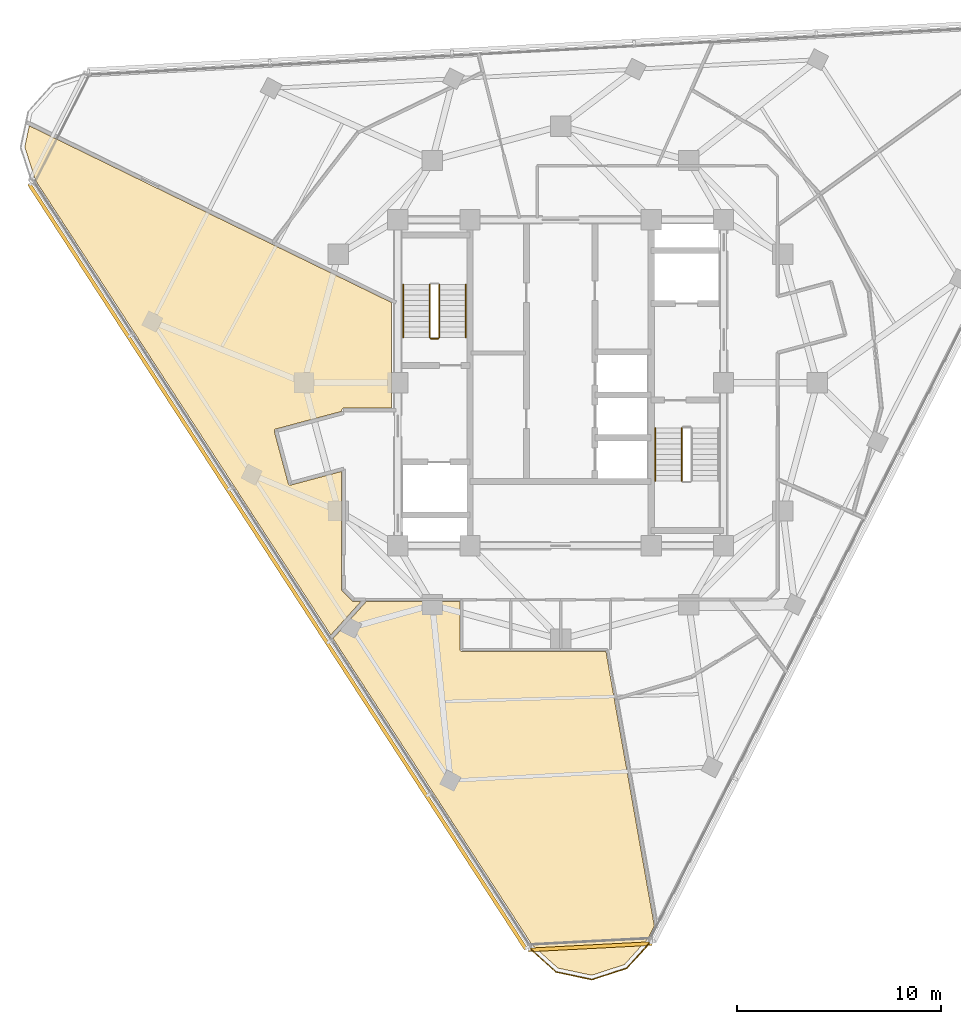
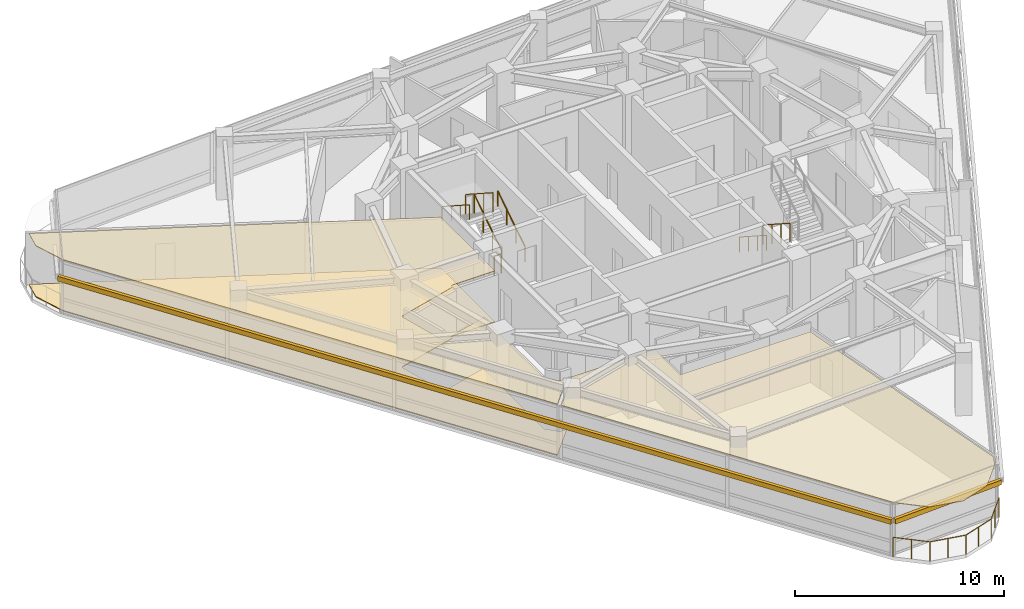
# One storey, part 12 of 15: 8 railings, 3 coverings, 2 shading devices.
"""IFC4 building model written with IfcOpenShell, lengths in metres."""

from ifc_helpers import new_model, si_unit, direction, frame, origin, origin_2d, place, context, subcontext, project, spatial, polyline, rectangle, circle, outline, extrude, material, layer, layer_set, type_object, element, save


model = new_model("IFC4")

# Units and contexts
model_context = context("Model", 3, precision=1e-05, world=origin(), true_north=direction((0.0, 1.0)))
body_context = subcontext(model_context, "Body", "Model", "MODEL_VIEW")
ifc_project = project(units=[si_unit("LENGTHUNIT", "METRE"), si_unit("AREAUNIT", "SQUARE_METRE"), si_unit("VOLUMEUNIT", "CUBIC_METRE"), si_unit("PLANEANGLEUNIT", "RADIAN"), si_unit("MASSUNIT", "GRAM", prefix="KILO")], contexts=[model_context])

# Site, building, storey
site_placement = place(None, origin())
site = spatial("IfcSite", under=ifc_project, at=site_placement, CompositionType="ELEMENT")
building_placement = place(site_placement, origin())
building = spatial("IfcBuilding", under=site, at=building_placement, Name="Terralouvre Media Tower", CompositionType="ELEMENT")
storey_placement = place(building_placement, frame((0.0, 0.0, 248.5)))
storey = spatial("IfcBuildingStorey", under=building, at=storey_placement, Name="L64", CompositionType="ELEMENT", Elevation=248.5)

# Coverings
ifc_material_1 = material(Name="Resilient elastomer acoustic broadcast studio flooring")
ifc_layer_1 = layer(ifc_material_1, 0.050048828125, Name="Broadcast Studio Acoustic Floating Floor FL-AC1")
ifc_layer_set_1 = layer_set([ifc_layer_1], Name="Resilient elastomer acoustic broadcast studio flooring")
covering_type_1 = type_object("IfcCoveringType", Name="Broadcast Studio Acoustic Floating Floor FL-AC1", PredefinedType="FLOORING", material=ifc_layer_set_1)
covering_1_placement = place(storey_placement, frame((0.0, 0.0, 0.0), z_axis=(0.0, 0.0, 1.0), x_axis=(0.45399049974, 0.891006524188, 0.0)))
element("IfcCovering", 1, at=covering_1_placement, inside=storey, type_object=covering_type_1, Name="L64 Audio Digitisation Control Room 1 Acoustic Floating Floor", PredefinedType="FLOORING", context=body_context, shape_type="SweptSolid", body=[
    extrude(outline(polyline([(-14.03369140625, 3.863525390625), (-14.186279296875, 4.163330078125), (-14.1904296875, 4.17236328125), (-14.193603515625, 4.181640625), (-14.195556640625, 4.191162109375), (-14.197021484375, 4.200927734375), (-14.197265625, 4.210693359375), (-14.196533203125, 4.220458984375), (-14.19482421875, 4.230224609375), (-14.1923828125, 4.239501953125), (-13.973876953125, 4.912109375), (-13.97021484375, 4.92138671875), (-13.966064453125, 4.929931640625), (-13.960693359375, 4.9384765625), (-13.954833984375, 4.946044921875), (-13.947998046875, 4.953369140625), (-13.940673828125, 4.959716796875), (-13.9326171875, 4.96533203125), (-13.924072265625, 4.97021484375), (-8.760986328125, 7.60107421875), (-10.49365234375, 9.525146484375), (-10.5, 9.532958984375), (-10.50537109375, 9.541015625), (-10.510009765625, 9.5498046875), (-10.513671875, 9.558837890625), (-10.5166015625, 9.568115234375), (-10.518310546875, 9.577880859375), (-10.519287109375, 9.587646484375), (-10.519287109375, 9.597412109375), (-10.518310546875, 9.607177734375), (-10.516357421875, 9.61669921875), (-10.513427734375, 9.626220703125), (-10.509765625, 9.63525390625), (-10.5048828125, 9.643798828125), (-10.49951171875, 9.652099609375), (-10.4931640625, 9.65966796875), (-10.486328125, 9.66650390625), (-8.516357421875, 11.439208984375), (-8.5087890625, 11.4453125), (-8.50048828125, 11.45068359375), (-8.491943359375, 11.455322265625), (-8.482666015625, 11.458984375), (-8.473388671875, 11.4619140625), (-8.463623046875, 11.463623046875), (-8.453857421875, 11.464599609375), (-8.444091796875, 11.464599609375), (-8.434326171875, 11.463623046875), (-8.4248046875, 11.461669921875), (-8.415283203125, 11.458740234375), (-8.406494140625, 11.455078125), (-8.397705078125, 11.450439453125), (-8.3896484375, 11.44482421875), (-8.382080078125, 11.4384765625), (-8.375, 11.431640625), (-6.132568359375, 8.9404296875), (-6.083251953125, 8.96533203125), (-6.07421875, 8.969482421875), (-6.06494140625, 8.97265625), (-6.055419921875, 8.974853515625), (-6.045654296875, 8.97607421875), (-6.035888671875, 8.976318359375), (-6.026123046875, 8.9755859375), (-6.016357421875, 8.973876953125), (-6.007080078125, 8.971435546875), (-5.997802734375, 8.968017578125), (-5.989013671875, 8.963623046875), (-5.980712890625, 8.958251953125), (-5.972900390625, 8.952392578125), (-5.9658203125, 8.945556640625), (-5.959228515625, 8.938232421875), (-5.95361328125, 8.93017578125), (-5.94873046875, 8.921630859375), (-4.886474609375, 6.836669921875), (-0.2607421875, 9.193603515625), (-0.37451171875, 15.70458984375), (-0.60546875, 28.97509765625), (-1.635986328125, 28.698974609375), (-2.85546875, 27.479736328125), (-16.160400390625, 4.43359375), (-14.03369140625, 3.863525390625)])), origin(), (0.0, 0.0, 1.0), 0.050048828125),
])
ifc_material_2 = material(Name="Perforated aluminium acoustic ceiling baffle", Category="aluminium")
ifc_layer_2 = layer(ifc_material_2, 0.0400390625, Name="Perforated Acoustic Metal Tile Ceiling CL-AC1")
ifc_layer_set_2 = layer_set([ifc_layer_2], Name="Perforated aluminium acoustic ceiling baffle")
covering_type_2 = type_object("IfcCoveringType", Name="Perforated Acoustic Metal Tile Ceiling CL-AC1", PredefinedType="CEILING", material=ifc_layer_set_2)
covering_2_placement = place(storey_placement, frame((0.0, 0.0, 2.97998046875), z_axis=(0.0, 0.0, 1.0), x_axis=(0.45399049974, 0.891006524188, 0.0)))
element("IfcCovering", 2, at=covering_2_placement, inside=storey, type_object=covering_type_2, Name="L64 Audio Digitisation Control Room 1 Acoustic Ceiling", PredefinedType="CEILING", context=body_context, shape_type="SweptSolid", body=[
    extrude(outline(polyline([(-14.03369140625, 3.863525390625), (-14.186279296875, 4.163330078125), (-14.1904296875, 4.17236328125), (-14.193603515625, 4.181640625), (-14.195556640625, 4.191162109375), (-14.197021484375, 4.200927734375), (-14.197265625, 4.210693359375), (-14.196533203125, 4.220458984375), (-14.19482421875, 4.230224609375), (-14.1923828125, 4.239501953125), (-13.973876953125, 4.912109375), (-13.97021484375, 4.92138671875), (-13.966064453125, 4.929931640625), (-13.960693359375, 4.9384765625), (-13.954833984375, 4.946044921875), (-13.947998046875, 4.953369140625), (-13.940673828125, 4.959716796875), (-13.9326171875, 4.96533203125), (-13.924072265625, 4.97021484375), (-8.760986328125, 7.60107421875), (-10.49365234375, 9.525146484375), (-10.5, 9.532958984375), (-10.50537109375, 9.541015625), (-10.510009765625, 9.5498046875), (-10.513671875, 9.558837890625), (-10.5166015625, 9.568115234375), (-10.518310546875, 9.577880859375), (-10.519287109375, 9.587646484375), (-10.519287109375, 9.597412109375), (-10.518310546875, 9.607177734375), (-10.516357421875, 9.61669921875), (-10.513427734375, 9.626220703125), (-10.509765625, 9.63525390625), (-10.5048828125, 9.643798828125), (-10.49951171875, 9.652099609375), (-10.4931640625, 9.65966796875), (-10.486328125, 9.66650390625), (-8.516357421875, 11.439208984375), (-8.5087890625, 11.4453125), (-8.50048828125, 11.45068359375), (-8.491943359375, 11.455322265625), (-8.482666015625, 11.458984375), (-8.473388671875, 11.4619140625), (-8.463623046875, 11.463623046875), (-8.453857421875, 11.464599609375), (-8.444091796875, 11.464599609375), (-8.434326171875, 11.463623046875), (-8.4248046875, 11.461669921875), (-8.415283203125, 11.458740234375), (-8.406494140625, 11.455078125), (-8.397705078125, 11.450439453125), (-8.3896484375, 11.44482421875), (-8.382080078125, 11.4384765625), (-8.375, 11.431640625), (-6.132568359375, 8.9404296875), (-6.083251953125, 8.96533203125), (-6.07421875, 8.969482421875), (-6.06494140625, 8.97265625), (-6.055419921875, 8.974853515625), (-6.045654296875, 8.97607421875), (-6.035888671875, 8.976318359375), (-6.026123046875, 8.9755859375), (-6.016357421875, 8.973876953125), (-6.007080078125, 8.971435546875), (-5.997802734375, 8.968017578125), (-5.989013671875, 8.963623046875), (-5.980712890625, 8.958251953125), (-5.972900390625, 8.952392578125), (-5.9658203125, 8.945556640625), (-5.959228515625, 8.938232421875), (-5.95361328125, 8.93017578125), (-5.94873046875, 8.921630859375), (-4.886474609375, 6.836669921875), (-0.2607421875, 9.193603515625), (-0.37451171875, 15.70458984375), (-0.60546875, 28.97509765625), (-1.635986328125, 28.698974609375), (-2.85546875, 27.479736328125), (-16.160400390625, 4.43359375), (-14.03369140625, 3.863525390625)])), origin(), (0.0, 0.0, 1.0), 0.0400390625),
])
covering_3_placement = place(storey_placement, frame((0.0, 0.0, 2.97998046875), z_axis=(0.0, 0.0, 1.0), x_axis=(0.45399049974, 0.891006524188, 0.0)))
element("IfcCovering", 3, at=covering_3_placement, inside=storey, type_object=covering_type_2, Name="L64 Arts Critique Seminar Room 3 Acoustic Ceiling", PredefinedType="CEILING", context=body_context, shape_type="SweptSolid", body=[
    extrude(outline(polyline([(-10.750732421875, -7.97607421875), (-13.963134765625, -1.67138671875), (-13.967041015625, -1.662353515625), (-13.97021484375, -1.653076171875), (-13.972412109375, -1.6435546875), (-13.973876953125, -1.6337890625), (-13.97412109375, -1.6240234375), (-13.973388671875, -1.614013671875), (-13.9716796875, -1.6044921875), (-13.96923828125, -1.594970703125), (-13.965576171875, -1.585693359375), (-13.96142578125, -1.5771484375), (-13.9560546875, -1.568603515625), (-13.9501953125, -1.56103515625), (-13.943359375, -1.5537109375), (-13.93603515625, -1.54736328125), (-13.927978515625, -1.541748046875), (-13.91943359375, -1.536865234375), (-11.82568359375, -0.469970703125), (-13.911376953125, 3.623779296875), (-16.263916015625, 4.25439453125), (-25.225830078125, -11.26708984375), (-25.672607421875, -12.9326171875), (-25.23388671875, -14.568359375), (-24.036376953125, -15.766357421875), (-22.370849609375, -16.212158203125), (-21.68115234375, -16.212890625), (-12.63818359375, -9.3984375), (-10.750732421875, -7.97607421875)])), origin(), (0.0, 0.0, 1.0), 0.0400390625),
])

# Railings
ifc_material_3 = material(Name="Stainless steel 316 handrail and balustrade", Category="steel")
ifc_layer_3 = layer(ifc_material_3, 0.06005859375, Name="Roof Edge Safety Guardrail GR-ROOF1")
ifc_layer_set_3 = layer_set([ifc_layer_3], Name="Stainless steel 316 handrail and balustrade")
railing_type_1 = type_object("IfcRailingType", Name="Roof Edge Safety Guardrail GR-ROOF1", PredefinedType="GUARDRAIL", material=ifc_layer_set_3)
railing_1_placement = place(storey_placement, frame((-1.580810546875, -27.72119140625, 0.0)))
element("IfcRailing", 4, at=railing_1_placement, inside=storey, type_object=railing_type_1, Name="L64 Wind-Corner Perimeter Safety Guardrail C0", PredefinedType="GUARDRAIL", context=body_context, shape_type="SweptSolid", body=[
    extrude(circle(Radius=0.02099609375, at=origin_2d()), frame((0.0, 0.0, 1.12890625), z_axis=(0.743012566317, -0.66927746585, 0.0), x_axis=(0.66927746585, 0.743012566317, 0.0)), (0.0, 0.0, 1.0), 1.81103515625),
    extrude(circle(Radius=0.02099609375, at=origin_2d()), frame((1.345703125, -1.212158203125, 1.12890625), z_axis=(0.978122858597, -0.208028059382, 0.0), x_axis=(0.208028059382, 0.978122858597, 0.0)), (0.0, 0.0, 1.0), 1.810791015625),
    extrude(circle(Radius=0.02099609375, at=origin_2d()), frame((3.116943359375, -1.5888671875, 1.12890625), z_axis=(0.951016233487, 0.309140944625, 0.0), x_axis=(-0.309140944625, 0.951016233487, 0.0)), (0.0, 0.0, 1.0), 1.810791015625),
    extrude(circle(Radius=0.02099609375, at=origin_2d()), frame((4.839111328125, -1.029052734375, 1.12890625), z_axis=(0.668920042495, 0.74333436403, 0.0), x_axis=(-0.74333436403, 0.668920042495, 0.0)), (0.0, 0.0, 1.0), 1.81103515625),
    extrude(circle(Radius=0.01904296875, at=origin_2d()), origin(), (0.0, 0.0, 1.0), 1.10791015625),
    extrude(circle(Radius=0.01904296875, at=origin_2d()), frame((0.6728515625, -0.60595703125, 0.0)), (0.0, 0.0, 1.0), 1.10791015625),
    extrude(circle(Radius=0.01904296875, at=origin_2d()), frame((1.345703125, -1.212158203125, 0.0)), (0.0, 0.0, 1.0), 1.10791015625),
    extrude(circle(Radius=0.01904296875, at=origin_2d()), frame((2.2314453125, -1.400390625, 0.0)), (0.0, 0.0, 1.0), 1.10791015625),
    extrude(circle(Radius=0.01904296875, at=origin_2d()), frame((3.116943359375, -1.5888671875, 0.0)), (0.0, 0.0, 1.0), 1.10791015625),
    extrude(circle(Radius=0.01904296875, at=origin_2d()), frame((3.97802734375, -1.30908203125, 0.0)), (0.0, 0.0, 1.0), 1.10791015625),
    extrude(circle(Radius=0.01904296875, at=origin_2d()), frame((4.839111328125, -1.029052734375, 0.0)), (0.0, 0.0, 1.0), 1.10791015625),
    extrude(circle(Radius=0.01904296875, at=origin_2d()), frame((5.44482421875, -0.35595703125, 0.0)), (0.0, 0.0, 1.0), 1.10791015625),
    extrude(circle(Radius=0.01904296875, at=origin_2d()), frame((6.050537109375, 0.317138671875, 0.0)), (0.0, 0.0, 1.0), 1.10791015625),
])
ifc_material_4 = material(Name="Stainless steel 316 handrail and balustrade", Category="steel")
ifc_layer_4 = layer(ifc_material_4, 0.050048828125, Name="Stair Flight Wall Handrail HR-INT1")
ifc_layer_set_4 = layer_set([ifc_layer_4], Name="Stainless steel 316 handrail and balustrade")
railing_type_2 = type_object("IfcRailingType", Name="Stair Flight Wall Handrail HR-INT1", PredefinedType="HANDRAIL", material=ifc_layer_set_4)
railing_2_placement = place(storey_placement, frame((-4.64990234375, 2.219970703125, 0.168212890625)))
element("IfcRailing", 5, at=railing_2_placement, inside=storey, type_object=railing_type_2, Name="L64 ST-01 stair handrail 1", PredefinedType="HANDRAIL", context=body_context, shape_type="SweptSolid", body=[
    extrude(circle(Radius=0.02392578125, at=origin_2d()), frame((0.0, 0.0, 0.8759765625), z_axis=(0.0, 0.839648411786, 0.543130320075), x_axis=(-1.0, 0.0, 0.0)), (0.0, 0.0, 1.0), 3.0966796875),
    extrude(circle(Radius=0.02099609375, at=origin_2d()), origin(), (0.0, 0.0, 1.0), 0.851806640625),
    extrude(circle(Radius=0.02099609375, at=origin_2d()), frame((0.0, 0.86669921875, 0.560546875)), (0.0, 0.0, 1.0), 0.851806640625),
    extrude(circle(Radius=0.02099609375, at=origin_2d()), frame((0.0, 1.7333984375, 1.121337890625)), (0.0, 0.0, 1.0), 0.851806640625),
    extrude(circle(Radius=0.02099609375, at=origin_2d()), frame((0.0, 2.60009765625, 1.681884765625)), (0.0, 0.0, 1.0), 0.851806640625),
])
for number, where, name in (
    (6, (-7.72998046875, 4.820068359375, 2.01806640625), "L64 ST-01 stair handrail 2"),
    (7, (4.64990234375, -2.219970703125, 0.168212890625), "L64 ST-02 stair handrail 1"),
):
    element("IfcRailing", number, at=place(storey_placement, frame(where)), inside=storey, type_object=railing_type_2, Name=name, PredefinedType="HANDRAIL", context=body_context, shape_type="SweptSolid", body=[
        extrude(circle(Radius=0.02392578125, at=origin_2d()), frame((0.0, 0.0, 0.8759765625), z_axis=(0.0, -0.839648411786, 0.543130320075), x_axis=(1.0, 0.0, 0.0)), (0.0, 0.0, 1.0), 3.0966796875),
        extrude(circle(Radius=0.02099609375, at=origin_2d()), origin(), (0.0, 0.0, 1.0), 0.851806640625),
        extrude(circle(Radius=0.02099609375, at=origin_2d()), frame((0.0, -0.86669921875, 0.560546875)), (0.0, 0.0, 1.0), 0.851806640625),
        extrude(circle(Radius=0.02099609375, at=origin_2d()), frame((0.0, -1.7333984375, 1.121337890625)), (0.0, 0.0, 1.0), 0.851806640625),
        extrude(circle(Radius=0.02099609375, at=origin_2d()), frame((0.0, -2.60009765625, 1.681884765625)), (0.0, 0.0, 1.0), 0.851806640625),
    ])
ifc_material_5 = material(Name="Stainless steel 316 handrail and balustrade", Category="steel")
ifc_layer_5 = layer(ifc_material_5, 0.050048828125, Name="Stairwell Safety Guardrail GR-INT1")
ifc_layer_set_5 = layer_set([ifc_layer_5], Name="Stainless steel 316 handrail and balustrade")
railing_type_3 = type_object("IfcRailingType", Name="Stairwell Safety Guardrail GR-INT1", PredefinedType="GUARDRAIL", material=ifc_layer_set_5)
railing_3_placement = place(storey_placement, frame((-5.949951171875, 2.219970703125, 0.168212890625)))
element("IfcRailing", 8, at=railing_3_placement, inside=storey, type_object=railing_type_3, Name="L64 ST-01 stair guard 1", PredefinedType="GUARDRAIL", context=body_context, shape_type="SweptSolid", body=[
    extrude(circle(Radius=0.02392578125, at=origin_2d()), frame((0.0, 0.0, 1.1259765625), z_axis=(0.0, 0.839648411786, 0.543130320075), x_axis=(-1.0, 0.0, 0.0)), (0.0, 0.0, 1.0), 3.0966796875),
    extrude(circle(Radius=0.02099609375, at=origin_2d()), origin(), (0.0, 0.0, 1.0), 1.101806640625),
    extrude(circle(Radius=0.02099609375, at=origin_2d()), frame((0.0, 0.86669921875, 0.560546875)), (0.0, 0.0, 1.0), 1.101806640625),
    extrude(circle(Radius=0.02099609375, at=origin_2d()), frame((0.0, 1.7333984375, 1.121337890625)), (0.0, 0.0, 1.0), 1.101806640625),
    extrude(circle(Radius=0.02099609375, at=origin_2d()), frame((0.0, 2.60009765625, 1.681884765625)), (0.0, 0.0, 1.0), 1.101806640625),
])
railing_4_placement = place(storey_placement, frame((-6.429931640625, 4.820068359375, 2.01806640625)))
element("IfcRailing", 9, at=railing_4_placement, inside=storey, type_object=railing_type_3, Name="L64 ST-01 stair guard 3", PredefinedType="GUARDRAIL", context=body_context, shape_type="SweptSolid", body=[
    extrude(circle(Radius=0.02392578125, at=origin_2d()), frame((0.0, 0.0, 1.1259765625), z_axis=(0.0, -0.839648411786, 0.543130320075), x_axis=(1.0, 0.0, 0.0)), (0.0, 0.0, 1.0), 3.0966796875),
    extrude(circle(Radius=0.02099609375, at=origin_2d()), origin(), (0.0, 0.0, 1.0), 1.101806640625),
    extrude(circle(Radius=0.02099609375, at=origin_2d()), frame((0.0, -0.86669921875, 0.560546875)), (0.0, 0.0, 1.0), 1.101806640625),
    extrude(circle(Radius=0.02099609375, at=origin_2d()), frame((0.0, -1.7333984375, 1.121337890625)), (0.0, 0.0, 1.0), 1.101806640625),
    extrude(circle(Radius=0.02099609375, at=origin_2d()), frame((0.0, -2.60009765625, 1.681884765625)), (0.0, 0.0, 1.0), 1.101806640625),
])
railing_5_placement = place(storey_placement, frame((-6.0, 2.169921875, 0.0)))
element("IfcRailing", 10, at=railing_5_placement, inside=storey, type_object=railing_type_3, Name="L64 ST-01 stair guard 4", PredefinedType="GUARDRAIL", context=body_context, shape_type="SweptSolid", body=[
    extrude(circle(Radius=0.02392578125, at=origin_2d()), frame((0.0, 0.0, 1.1259765625), z_axis=(-1.0, 0.0, 0.0), x_axis=(0.0, -1.0, 0.0)), (0.0, 0.0, 1.0), 0.3798828125),
    extrude(circle(Radius=0.02099609375, at=origin_2d()), origin(), (0.0, 0.0, 1.0), 1.101806640625),
    extrude(circle(Radius=0.02099609375, at=origin_2d()), frame((-0.3798828125, 0.0, 0.0)), (0.0, 0.0, 1.0), 1.101806640625),
])
railing_6_placement = place(storey_placement, frame((5.949951171875, -2.219970703125, 0.168212890625)))
element("IfcRailing", 11, at=railing_6_placement, inside=storey, type_object=railing_type_3, Name="L64 ST-02 stair guard 1", PredefinedType="GUARDRAIL", context=body_context, shape_type="SweptSolid", body=[
    extrude(circle(Radius=0.02392578125, at=origin_2d()), frame((0.0, 0.0, 1.1259765625), z_axis=(0.0, -0.839648411786, 0.543130320075), x_axis=(1.0, 0.0, 0.0)), (0.0, 0.0, 1.0), 3.0966796875),
    extrude(circle(Radius=0.02099609375, at=origin_2d()), origin(), (0.0, 0.0, 1.0), 1.101806640625),
    extrude(circle(Radius=0.02099609375, at=origin_2d()), frame((0.0, -0.86669921875, 0.560546875)), (0.0, 0.0, 1.0), 1.101806640625),
    extrude(circle(Radius=0.02099609375, at=origin_2d()), frame((0.0, -1.7333984375, 1.121337890625)), (0.0, 0.0, 1.0), 1.101806640625),
    extrude(circle(Radius=0.02099609375, at=origin_2d()), frame((0.0, -2.60009765625, 1.681884765625)), (0.0, 0.0, 1.0), 1.101806640625),
])

# Shading devices
ifc_material_6 = material(Name="Extruded terracotta baguette sunshade louvres", Category="masonry")
shading_device_type = type_object("IfcShadingDeviceType", Name="Terracotta Baguette Sunshade Louvre Screen TB-LV1", PredefinedType="USERDEFINED", material=ifc_material_6)
shading_device_1_placement = place(storey_placement, frame((-13.89892578125, -9.026123046875, 2.02392578125), z_axis=(0.0, 0.0, 1.0), x_axis=(0.544639069077, -0.838670545826, 0.0)))
element("IfcShadingDevice", 12, at=shading_device_1_placement, inside=storey, type_object=shading_device_type, Name="CW-L64-F2 Terracotta Baguette Sunshade Louvre", ObjectType="BAGUETTE", PredefinedType="USERDEFINED", context=body_context, shape_type="SweptSolid", body=[
    extrude(rectangle(XDim=44.800048828125, YDim=0.179931640625, at=origin_2d()), origin(), (0.0, 0.0, 1.0), 0.280029296875),
])
shading_device_2_placement = place(storey_placement, frame((1.45166015625, -27.697265625, 2.02392578125), z_axis=(0.0, 0.0, 1.0), x_axis=(0.998629533744, 0.05233597552, 0.0)))
element("IfcShadingDevice", 13, at=shading_device_2_placement, inside=storey, type_object=shading_device_type, Name="CW-L64-C0 Terracotta Baguette Sunshade Louvre", ObjectType="BAGUETTE", PredefinedType="USERDEFINED", context=body_context, shape_type="SweptSolid", body=[
    extrude(rectangle(XDim=6.062255859375, YDim=0.179931640625, at=origin_2d()), origin(), (0.0, 0.0, 1.0), 0.280029296875),
])

save(model, "model.ifc")
